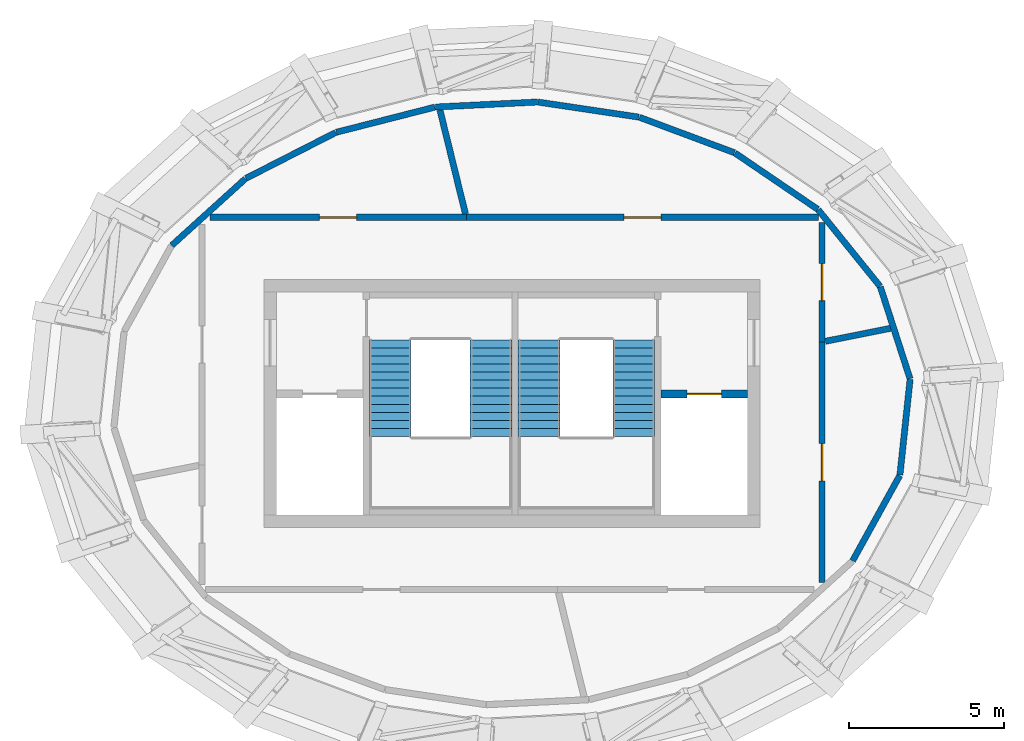
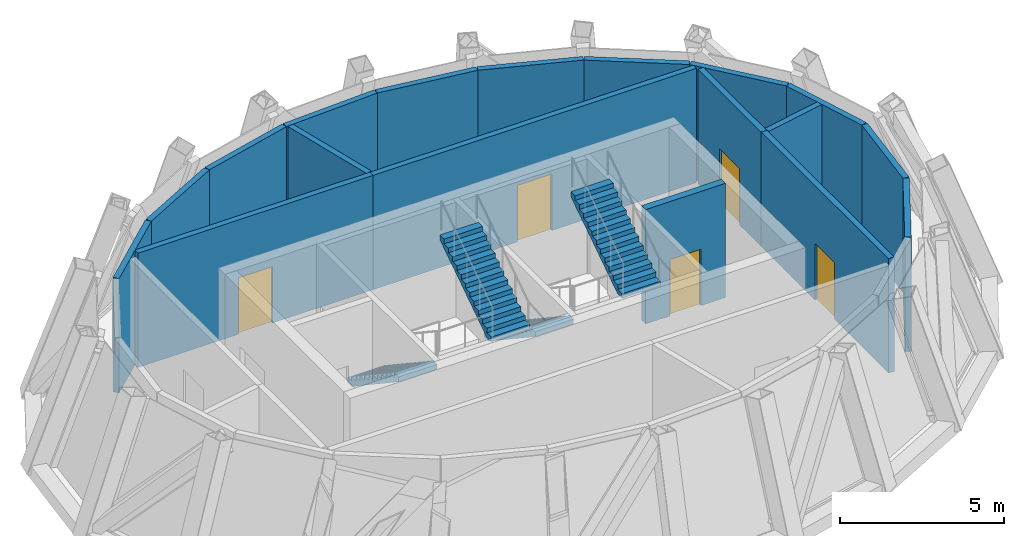
# One storey, part 5 of 6: 18 walls, 5 doors, 4 stair flights, 5 openings, 2 elements without a shape of their own.
"""IFC4 building model written with IfcOpenShell, lengths in metres."""

from ifc_helpers import new_model, si_unit, direction, frame, frame_2d, origin, place, context, subcontext, project, spatial, polyline, rectangle, outline, extrude, source, transform, mapped, material, layer, layer_set, type_object, element, fill, aggregate, save


model = new_model("IFC4")

# Units and contexts
model_context = context("Model", 3, precision=1e-05, world=origin(), true_north=direction((0.0, 1.0)))
body_context = subcontext(model_context, "Body", "Model", "MODEL_VIEW")
ifc_project = project(units=[si_unit("LENGTHUNIT", "METRE"), si_unit("AREAUNIT", "SQUARE_METRE"), si_unit("VOLUMEUNIT", "CUBIC_METRE"), si_unit("PLANEANGLEUNIT", "RADIAN"), si_unit("MASSUNIT", "GRAM", prefix="KILO")], contexts=[model_context])

# Site, building, storey
site_placement = place(None, origin())
site = spatial("IfcSite", under=ifc_project, at=site_placement, CompositionType="ELEMENT")
building_placement = place(site_placement, origin())
building = spatial("IfcBuilding", under=site, at=building_placement, Name="Embergate Tower", CompositionType="ELEMENT")
storey_placement = place(building_placement, frame((0.0, 0.0, 365.5)))
storey = spatial("IfcBuildingStorey", under=building, at=storey_placement, Name="L83", CompositionType="ELEMENT", Elevation=365.5)

# Walls
ifc_material_1 = material(Name="Terracotta louvre cladding on insulated backing", Category="masonry")
ifc_layer_1 = layer(ifc_material_1, 0.199951171875)
ifc_layer_set_1 = layer_set([ifc_layer_1], Name="Terracotta louvre cladding on insulated backing")
wall_type_1 = type_object("IfcWallType", Name="Terracotta louvre wall", PredefinedType="SOLIDWALL", material=ifc_layer_set_1)
shared_shape_1 = source(origin(), body_context, "Body", "SweptSolid", [
    extrude(rectangle(XDim=3.174560546875, YDim=0.199951171875, at=frame_2d((1.58740234375, 0.0))), origin(), (0.0, 0.0, 1.0), 4.25),
])
wall_1_placement = place(storey_placement, frame((9.87646484375, 6.24560546875, 0.0), z_axis=(0.0, 0.0, 1.0), x_axis=(0.628308465475, -0.777964312943, 0.0)))
element("IfcWall", 1, at=wall_1_placement, inside=storey, type_object=wall_type_1, Name="Crown louvre wall 1", PredefinedType="SOLIDWALL", context=body_context, shape_type="MappedRepresentation", body=[
    mapped(shared_shape_1, transform((0.0, 0.0, 0.0))),
])
shared_shape_2 = source(origin(), body_context, "Body", "SweptSolid", [
    extrude(rectangle(XDim=3.23046875, YDim=0.199951171875, at=frame_2d((1.615234375, 0.0))), origin(), (0.0, 0.0, 1.0), 4.25),
])
wall_2_placement = place(storey_placement, frame((7.190673828125, 8.07568359375, 0.0), z_axis=(0.0, 0.0, 1.0), x_axis=(0.826887140507, -0.562367901701, 0.0)))
element("IfcWall", 2, at=wall_2_placement, inside=storey, type_object=wall_type_1, Name="Crown louvre wall 2", PredefinedType="SOLIDWALL", context=body_context, shape_type="MappedRepresentation", body=[
    mapped(shared_shape_2, transform((0.0, 0.0, 0.0))),
])
shared_shape_3 = source(origin(), body_context, "Body", "SweptSolid", [
    extrude(rectangle(XDim=3.269287109375, YDim=0.199951171875, at=frame_2d((1.634765625, 0.0))), origin(), (0.0, 0.0, 1.0), 4.25),
])
wall_3_placement = place(storey_placement, frame((4.110107421875, 9.227783203125, 0.0), z_axis=(0.0, 0.0, 1.0), x_axis=(0.936886529357, -0.34963356691, 0.0)))
element("IfcWall", 3, at=wall_3_placement, inside=storey, type_object=wall_type_1, Name="Crown louvre wall 3", PredefinedType="SOLIDWALL", context=body_context, shape_type="MappedRepresentation", body=[
    mapped(shared_shape_3, transform((0.0, 0.0, 0.0))),
])
shared_shape_4 = source(origin(), body_context, "Body", "SweptSolid", [
    extrude(rectangle(XDim=3.28759765625, YDim=0.199951171875, at=frame_2d((1.643798828125, 0.0))), origin(), (0.0, 0.0, 1.0), 4.25),
])
wall_4_placement = place(storey_placement, frame((0.839111328125, 9.718017578125, 0.0), z_axis=(0.0, 0.0, 1.0), x_axis=(0.989054235862, -0.147552426358, 0.0)))
element("IfcWall", 4, at=wall_4_placement, inside=storey, type_object=wall_type_1, Name="Crown louvre wall 4", PredefinedType="SOLIDWALL", context=body_context, shape_type="MappedRepresentation", body=[
    mapped(shared_shape_4, transform((0.0, 0.0, 0.0))),
])
shared_shape_5 = source(origin(), body_context, "Body", "SweptSolid", [
    extrude(rectangle(XDim=3.29150390625, YDim=0.199951171875, at=frame_2d((1.645751953125, 0.0))), origin(), (0.0, 0.0, 1.0), 4.25),
])
wall_5_placement = place(storey_placement, frame((-2.46826171875, 9.5576171875, 0.0), z_axis=(0.0, 0.0, 1.0), x_axis=(0.998797426177, 0.049027558199, 0.0)))
element("IfcWall", 5, at=wall_5_placement, inside=storey, type_object=wall_type_1, Name="Crown louvre wall 5", PredefinedType="SOLIDWALL", context=body_context, shape_type="MappedRepresentation", body=[
    mapped(shared_shape_5, transform((0.0, 0.0, 0.0))),
])
shared_shape_6 = source(origin(), body_context, "Body", "SweptSolid", [
    extrude(rectangle(XDim=3.280029296875, YDim=0.199951171875, at=frame_2d((1.64013671875, 0.0))), origin(), (0.0, 0.0, 1.0), 4.25),
])
wall_6_placement = place(storey_placement, frame((-5.666015625, 8.7431640625, 0.0), z_axis=(0.0, 0.0, 1.0), x_axis=(0.968908599462, 0.247418927911, 0.0)))
element("IfcWall", 6, at=wall_6_placement, inside=storey, type_object=wall_type_1, Name="Crown louvre wall 6", PredefinedType="SOLIDWALL", context=body_context, shape_type="MappedRepresentation", body=[
    mapped(shared_shape_6, transform((0.0, 0.0, 0.0))),
])
shared_shape_7 = source(origin(), body_context, "Body", "SweptSolid", [
    extrude(rectangle(XDim=3.25341796875, YDim=0.199951171875, at=frame_2d((1.626708984375, 0.0))), origin(), (0.0, 0.0, 1.0), 4.25),
])
wall_7_placement = place(storey_placement, frame((-8.582275390625, 7.257080078125, 0.0), z_axis=(0.0, 0.0, 1.0), x_axis=(0.89068931978, 0.45461251152, 0.0)))
element("IfcWall", 7, at=wall_7_placement, inside=storey, type_object=wall_type_1, Name="Crown louvre wall 7", PredefinedType="SOLIDWALL", context=body_context, shape_type="MappedRepresentation", body=[
    mapped(shared_shape_7, transform((0.0, 0.0, 0.0))),
])
shared_shape_8 = source(origin(), body_context, "Body", "SweptSolid", [
    extrude(rectangle(XDim=3.205322265625, YDim=0.199951171875, at=frame_2d((1.6025390625, 0.0))), origin(), (0.0, 0.0, 1.0), 4.25),
])
wall_8_placement = place(storey_placement, frame((-10.973876953125, 5.09423828125, 0.0), z_axis=(0.0, 0.0, 1.0), x_axis=(0.741131432131, 0.671359963289, 0.0)))
element("IfcWall", 8, at=wall_8_placement, inside=storey, type_object=wall_type_1, Name="Crown louvre wall 8", PredefinedType="SOLIDWALL", context=body_context, shape_type="MappedRepresentation", body=[
    mapped(shared_shape_8, transform((0.0, 0.0, 0.0))),
])
shared_shape_9 = source(origin(), body_context, "Body", "SweptSolid", [
    extrude(rectangle(XDim=3.14208984375, YDim=0.199951171875, at=frame_2d((1.571044921875, 0.0))), origin(), (0.0, 0.0, 1.0), 4.25),
])
wall_9_placement = place(storey_placement, frame((12.506103515625, -2.328857421875, 0.0), z_axis=(0.0, 0.0, 1.0), x_axis=(-0.48375502956, -0.875203445706, 0.0)))
element("IfcWall", 9, at=wall_9_placement, inside=storey, type_object=wall_type_1, Name="Crown louvre wall 20", PredefinedType="SOLIDWALL", context=body_context, shape_type="MappedRepresentation", body=[
    mapped(shared_shape_9, transform((0.0, 0.0, 0.0))),
])
shared_shape_10 = source(origin(), body_context, "Body", "SweptSolid", [
    extrude(rectangle(XDim=3.101318359375, YDim=0.199951171875, at=frame_2d((1.55078125, 0.0))), origin(), (0.0, 0.0, 1.0), 4.25),
])
wall_10_placement = place(storey_placement, frame((12.840087890625, 0.773681640625, 0.0), z_axis=(0.0, 0.0, 1.0), x_axis=(-0.105721464197, -0.994395782376, 0.0)))
element("IfcWall", 10, at=wall_10_placement, inside=storey, type_object=wall_type_1, Name="Crown louvre wall 21", PredefinedType="SOLIDWALL", context=body_context, shape_type="MappedRepresentation", body=[
    mapped(shared_shape_10, transform((0.0, 0.0, 0.0))),
])
shared_shape_11 = source(origin(), body_context, "Body", "SweptSolid", [
    extrude(rectangle(XDim=3.1162109375, YDim=0.199951171875, at=frame_2d((1.55810546875, 0.0))), origin(), (0.0, 0.0, 1.0), 4.25),
])
wall_11_placement = place(storey_placement, frame((11.880615234375, 3.758544921875, 0.0), z_axis=(0.0, 0.0, 1.0), x_axis=(0.307282044067, -0.951618487312, 0.0)))
element("IfcWall", 11, at=wall_11_placement, inside=storey, type_object=wall_type_1, Name="Crown louvre wall 22", PredefinedType="SOLIDWALL", context=body_context, shape_type="MappedRepresentation", body=[
    mapped(shared_shape_11, transform((0.0, 0.0, 0.0))),
])

# Wall, opening, door
ifc_material_2 = material(Name="Concrete C50", Category="concrete")
ifc_layer_2 = layer(ifc_material_2, 0.25)
ifc_layer_set_2 = layer_set([ifc_layer_2], Name="Concrete C50")
wall_type_2 = type_object("IfcWallType", Name="Hoistway wall reinforced concrete 250", PredefinedType="SHEAR", material=ifc_layer_set_2)
shared_shape_12 = source(origin(), body_context, "Body", "SweptSolid", [
    extrude(rectangle(XDim=2.800048828125, YDim=0.25, at=frame_2d((1.39990234375, 0.0))), origin(), (0.0, 0.0, 1.0), 4.25),
])
wall_12_placement = place(storey_placement, frame((7.60009765625, 0.300048828125, 0.0), z_axis=(0.0, 0.0, 1.0), x_axis=(-1.0, 0.0, 0.0)))
wall_12 = element("IfcWall", 12, at=wall_12_placement, inside=storey, type_object=wall_type_2, Name="HW-1 wall", PredefinedType="SHEAR", context=body_context, shape_type="MappedRepresentation", body=[
    mapped(shared_shape_12, transform((0.0, 0.0, 0.0))),
])
shared_shape_13 = source(origin(), body_context, "Body", "SweptSolid", [
    extrude(rectangle(XDim=1.10009765625, YDim=2.10009765625, at=frame_2d((0.550048828125, 1.050048828125))), frame((0.0, 0.135009765625, 0.0), z_axis=(0.0, -1.0, 0.0), x_axis=(1.0, 0.0, 0.0)), (0.0, 0.0, 1.0), 0.27001953125),
])
opening_1_placement = place(wall_12_placement, frame((0.85009765625, 0.0, 0.0)))
opening_1 = element("IfcOpeningElement", 13, at=opening_1_placement, cuts=wall_12, Name="Opening LD", PredefinedType="OPENING", context=body_context, shape_type="MappedRepresentation", body=[
    mapped(shared_shape_13, transform((0.0, 0.0, 0.0))),
])
ifc_material_3 = material(Name="Landing door sliding 1100")
door_type_1 = type_object("IfcDoorType", Name="Landing door sliding 1100", OperationType="SLIDING_TO_LEFT", PredefinedType="DOOR", material=ifc_material_3)
shared_shape_14 = source(origin(), body_context, "Body", "SweptSolid", [
    extrude(rectangle(XDim=1.10009765625, YDim=2.10009765625, at=frame_2d((0.550048828125, 1.050048828125))), frame((0.0, 0.02490234375, 0.0), z_axis=(0.0, -1.0, 0.0), x_axis=(1.0, 0.0, 0.0)), (0.0, 0.0, 1.0), 0.050048828125),
])
door_1_placement = place(opening_1_placement, origin())
door_1 = element("IfcDoor", 14, at=door_1_placement, inside=storey, type_object=door_type_1, Name="LD door", OperationType="SLIDING_TO_RIGHT", OverallHeight=2.10009765625, OverallWidth=1.10009765625, PredefinedType="DOOR", context=body_context, shape_type="MappedRepresentation", body=[
    mapped(shared_shape_14, transform((0.0, 0.0, 0.0))),
])
fill(opening_1, door_1)

ifc_material_4 = material(Name="Blockwork, plastered", Category="masonry")
ifc_layer_3 = layer(ifc_material_4, 0.199951171875)
ifc_layer_set_3 = layer_set([ifc_layer_3], Name="Blockwork, plastered")
wall_type_3 = type_object("IfcWallType", Name="Fire partition wall 200 block", PredefinedType="PARTITIONING", material=ifc_layer_set_3)
shared_shape_15 = source(origin(), body_context, "Body", "SweptSolid", [
    extrude(rectangle(XDim=3.858154296875, YDim=0.199951171875, at=frame_2d((1.92919921875, 0.0))), origin(), (0.0, 0.0, 1.0), 4.25),
])
wall_13_placement = place(storey_placement, frame((10.0, 5.840087890625, 0.0), z_axis=(0.0, 0.0, 1.0), x_axis=(0.0, -1.0, 0.0)))
wall_13 = element("IfcWall", 15, at=wall_13_placement, inside=storey, type_object=wall_type_3, Name="Partition 011", PredefinedType="PARTITIONING", context=body_context, shape_type="MappedRepresentation", body=[
    mapped(shared_shape_15, transform((0.0, 0.0, 0.0))),
])
shared_shape_16 = source(origin(), body_context, "Body", "SweptSolid", [
    extrude(rectangle(XDim=1.199951171875, YDim=2.10009765625, at=frame_2d((0.60009765625, 1.050048828125))), frame((0.0, 0.10986328125, 0.0), z_axis=(0.0, -1.0, 0.0), x_axis=(1.0, 0.0, 0.0)), (0.0, 0.0, 1.0), 0.219970703125),
])
opening_2_placement = place(wall_13_placement, frame((1.3291015625, 0.0, 0.0)))
opening_2 = element("IfcOpeningElement", 16, at=opening_2_placement, cuts=wall_13, Name="Opening DS-289", PredefinedType="OPENING", context=body_context, shape_type="MappedRepresentation", body=[
    mapped(shared_shape_16, transform((0.0, 0.0, 0.0))),
])
ifc_material_5 = material(Name="Timber door leaf, steel frame", Category="steel")
door_type_2 = type_object("IfcDoorType", Name="Plant door 1200x2100", OperationType="SINGLE_SWING_LEFT", PredefinedType="DOOR", material=ifc_material_5)
shared_shape_17 = source(origin(), body_context, "Body", "SweptSolid", [
    extrude(rectangle(XDim=1.199951171875, YDim=2.10009765625, at=frame_2d((0.60009765625, 1.050048828125))), frame((0.0, 0.02490234375, 0.0), z_axis=(0.0, -1.0, 0.0), x_axis=(1.0, 0.0, 0.0)), (0.0, 0.0, 1.0), 0.050048828125),
])
door_2_placement = place(opening_2_placement, origin())
door_2 = element("IfcDoor", 17, at=door_2_placement, inside=storey, type_object=door_type_2, Name="Door to Crown mechanical plant room", OperationType="SINGLE_SWING_LEFT", OverallHeight=2.10009765625, OverallWidth=1.199951171875, PredefinedType="DOOR", context=body_context, shape_type="MappedRepresentation", body=[
    mapped(shared_shape_17, transform((0.0, 0.0, 0.0))),
])
fill(opening_2, door_2)

# Wall
shared_shape_18 = source(origin(), body_context, "Body", "SweptSolid", [
    extrude(rectangle(XDim=2.14111328125, YDim=0.199951171875, at=frame_2d((1.070556640625, 0.0))), origin(), (0.0, 0.0, 1.0), 4.25),
])
wall_14_placement = place(storey_placement, frame((12.2080078125, 2.419921875, 0.0), z_axis=(0.0, 0.0, 1.0), x_axis=(-0.980851641364, -0.194756405888, 0.0)))
element("IfcWall", 18, at=wall_14_placement, inside=storey, type_object=wall_type_3, Name="Partition 012", PredefinedType="PARTITIONING", context=body_context, shape_type="MappedRepresentation", body=[
    mapped(shared_shape_18, transform((0.0, 0.0, 0.0))),
])

# Wall, opening, door
shared_shape_19 = source(origin(), body_context, "Body", "SweptSolid", [
    extrude(rectangle(XDim=7.759033203125, YDim=0.199951171875, at=frame_2d((3.87939453125, 0.0))), origin(), (0.0, 0.0, 1.0), 4.25),
])
wall_15_placement = place(storey_placement, frame((10.0, 1.98193359375, 0.0), z_axis=(0.0, 0.0, 1.0), x_axis=(0.0, -1.0, 0.0)))
wall_15 = element("IfcWall", 19, at=wall_15_placement, inside=storey, type_object=wall_type_3, Name="Partition 010", PredefinedType="PARTITIONING", context=body_context, shape_type="MappedRepresentation", body=[
    mapped(shared_shape_19, transform((0.0, 0.0, 0.0))),
])
opening_3_placement = place(wall_15_placement, frame((3.280029296875, 0.0, 0.0)))
opening_3 = element("IfcOpeningElement", 20, at=opening_3_placement, cuts=wall_15, Name="Opening DS-296", PredefinedType="OPENING", context=body_context, shape_type="MappedRepresentation", body=[
    mapped(shared_shape_16, transform((0.0, 0.0, 0.0))),
])
door_3_placement = place(opening_3_placement, origin())
door_3 = element("IfcDoor", 21, at=door_3_placement, inside=storey, type_object=door_type_2, Name="Door to Crown pump plant room", OperationType="SINGLE_SWING_LEFT", OverallHeight=2.10009765625, OverallWidth=1.199951171875, PredefinedType="DOOR", context=body_context, shape_type="MappedRepresentation", body=[
    mapped(shared_shape_17, transform((0.0, 0.0, 0.0))),
])
fill(opening_3, door_3)

shared_shape_20 = source(origin(), body_context, "Body", "SweptSolid", [
    extrude(rectangle(XDim=8.269775390625, YDim=0.199951171875, at=frame_2d((4.134765625, 0.0))), origin(), (0.0, 0.0, 1.0), 4.25),
])
wall_16_placement = place(storey_placement, frame((-9.743896484375, 6.0, 0.0), z_axis=(0.0, 0.0, 1.0), x_axis=(1.0, 0.0, 0.0)))
wall_16 = element("IfcWall", 22, at=wall_16_placement, inside=storey, type_object=wall_type_3, Name="Partition 004", PredefinedType="PARTITIONING", context=body_context, shape_type="MappedRepresentation", body=[
    mapped(shared_shape_20, transform((0.0, 0.0, 0.0))),
])
opening_4_placement = place(wall_16_placement, frame((3.534912109375, 0.0, 0.0)))
opening_4 = element("IfcOpeningElement", 23, at=opening_4_placement, cuts=wall_16, Name="Opening DS-291", PredefinedType="OPENING", context=body_context, shape_type="MappedRepresentation", body=[
    mapped(shared_shape_16, transform((0.0, 0.0, 0.0))),
])
door_4_placement = place(opening_4_placement, origin())
door_4 = element("IfcDoor", 24, at=door_4_placement, inside=storey, type_object=door_type_2, Name="Door to Crown electrical plant room", OperationType="SINGLE_SWING_LEFT", OverallHeight=2.10009765625, OverallWidth=1.199951171875, PredefinedType="DOOR", context=body_context, shape_type="MappedRepresentation", body=[
    mapped(shared_shape_17, transform((0.0, 0.0, 0.0))),
])
fill(opening_4, door_4)

# Wall
shared_shape_21 = source(origin(), body_context, "Body", "SweptSolid", [
    extrude(rectangle(XDim=3.4580078125, YDim=0.199951171875, at=frame_2d((1.72900390625, 0.0))), origin(), (0.0, 0.0, 1.0), 4.25),
])
wall_17_placement = place(storey_placement, frame((-1.5, 6.10693359375, 0.0), z_axis=(0.0, 0.0, 1.0), x_axis=(-0.238563284271, 0.971126953286, 0.0)))
element("IfcWall", 25, at=wall_17_placement, inside=storey, type_object=wall_type_3, Name="Partition 005", PredefinedType="PARTITIONING", context=body_context, shape_type="MappedRepresentation", body=[
    mapped(shared_shape_21, transform((0.0, 0.0, 0.0))),
])

# Wall, opening, door
shared_shape_22 = source(origin(), body_context, "Body", "SweptSolid", [
    extrude(rectangle(XDim=11.365234375, YDim=0.199951171875, at=frame_2d((5.6826171875, 0.0))), origin(), (0.0, 0.0, 1.0), 4.25),
])
wall_18_placement = place(storey_placement, frame((-1.47412109375, 6.0, 0.0), z_axis=(0.0, 0.0, 1.0), x_axis=(1.0, 0.0, 0.0)))
wall_18 = element("IfcWall", 26, at=wall_18_placement, inside=storey, type_object=wall_type_3, Name="Partition 006", PredefinedType="PARTITIONING", context=body_context, shape_type="MappedRepresentation", body=[
    mapped(shared_shape_22, transform((0.0, 0.0, 0.0))),
])
opening_5_placement = place(wall_18_placement, frame((5.08203125, 0.0, 0.0)))
opening_5 = element("IfcOpeningElement", 27, at=opening_5_placement, cuts=wall_18, Name="Opening DS-290", PredefinedType="OPENING", context=body_context, shape_type="MappedRepresentation", body=[
    mapped(shared_shape_16, transform((0.0, 0.0, 0.0))),
])
door_5_placement = place(opening_5_placement, origin())
door_5 = element("IfcDoor", 28, at=door_5_placement, inside=storey, type_object=door_type_2, Name="Door to Crown mechanical plant room", OperationType="SINGLE_SWING_LEFT", OverallHeight=2.10009765625, OverallWidth=1.199951171875, PredefinedType="DOOR", context=body_context, shape_type="MappedRepresentation", body=[
    mapped(shared_shape_17, transform((0.0, 0.0, 0.0))),
])
fill(opening_5, door_5)

# Stair, stair flights
ifc_material_6 = material(Name="Exit stair")
stair_type = type_object("IfcStairType", Name="Exit stair", PredefinedType="HALF_TURN_STAIR", material=ifc_material_6)
stair_1_placement = place(storey_placement, origin())
stair_1 = element("IfcStair", 29, at=stair_1_placement, inside=storey, type_object=stair_type, Name="L83 Exit stair 1", PredefinedType="HALF_TURN_STAIR")
ifc_material_7 = material(Name="Concrete C40", Category="concrete")
stair_flight_type = type_object("IfcStairFlightType", Name="Stair flight reinforced concrete", PredefinedType="STRAIGHT", material=ifc_material_7)
shared_shape_23 = source(origin(), body_context, "Body", "SweptSolid", [
    extrude(outline(polyline([(0.0, 0.0), (0.0, 0.173095703125), (0.260009765625, 0.173095703125), (0.260009765625, 0.34619140625), (0.52001953125, 0.34619140625), (0.52001953125, 0.519287109375), (0.780029296875, 0.519287109375), (0.780029296875, 0.6923828125), (1.0400390625, 0.6923828125), (1.0400390625, 0.865478515625), (1.300048828125, 0.865478515625), (1.300048828125, 1.03857421875), (1.56005859375, 1.03857421875), (1.56005859375, 1.21142578125), (1.820068359375, 1.21142578125), (1.820068359375, 1.384521484375), (2.080078125, 1.384521484375), (2.080078125, 1.5576171875), (2.340087890625, 1.5576171875), (2.340087890625, 1.730712890625), (2.60009765625, 1.730712890625), (2.60009765625, 1.90380859375), (2.860107421875, 1.90380859375), (2.860107421875, 2.076904296875), (3.1201171875, 2.076904296875), (3.1201171875, 2.25), (3.1201171875, 1.896728515625), (0.2705078125, 0.0), (0.0, 0.0)])), frame((0.0, 0.675048828125, 0.0), z_axis=(0.0, -1.0, 0.0), x_axis=(1.0, 0.0, 0.0)), (0.0, 0.0, 1.0), 1.35009765625),
])
stair_flight_1_placement = place(storey_placement, frame((0.875, 2.050048828125, 0.0), z_axis=(0.0, 0.0, 1.0), x_axis=(0.0, -1.0, 0.0)))
stair_flight_1 = element("IfcStairFlight", 30, at=stair_flight_1_placement, type_object=stair_flight_type, Name="ST1 flight 1", NumberOfRisers=13, NumberOfTreads=12, PredefinedType="STRAIGHT", RiserHeight=0.173076923, TreadLength=0.26, context=body_context, shape_type="MappedRepresentation", body=[
    mapped(shared_shape_23, transform((0.0, 0.0, 0.0))),
])
stair_flight_2_placement = place(storey_placement, frame((3.925048828125, -1.070068359375, 2.25), z_axis=(0.0, 0.0, 1.0), x_axis=(0.0, 1.0, 0.0)))
stair_flight_2 = element("IfcStairFlight", 31, at=stair_flight_2_placement, type_object=stair_flight_type, Name="ST1 flight 2", NumberOfRisers=13, NumberOfTreads=12, PredefinedType="STRAIGHT", RiserHeight=0.173076923, TreadLength=0.26, context=body_context, shape_type="MappedRepresentation", body=[
    mapped(shared_shape_23, transform((0.0, 0.0, 0.0))),
])
aggregate(stair_1, [stair_flight_1, stair_flight_2])

stair_2_placement = place(storey_placement, origin())
stair_2 = element("IfcStair", 32, at=stair_2_placement, inside=storey, type_object=stair_type, Name="L83 Exit stair 3", PredefinedType="HALF_TURN_STAIR")
stair_flight_3_placement = place(storey_placement, frame((-3.925048828125, 2.050048828125, 0.0), z_axis=(0.0, 0.0, 1.0), x_axis=(0.0, -1.0, 0.0)))
stair_flight_3 = element("IfcStairFlight", 33, at=stair_flight_3_placement, type_object=stair_flight_type, Name="ST3 flight 1", NumberOfRisers=13, NumberOfTreads=12, PredefinedType="STRAIGHT", RiserHeight=0.173076923, TreadLength=0.26, context=body_context, shape_type="MappedRepresentation", body=[
    mapped(shared_shape_23, transform((0.0, 0.0, 0.0))),
])
stair_flight_4_placement = place(storey_placement, frame((-0.675048828125, -1.070068359375, 2.25), z_axis=(0.0, 0.0, 1.0), x_axis=(0.0, 1.0, 0.0)))
stair_flight_4 = element("IfcStairFlight", 34, at=stair_flight_4_placement, type_object=stair_flight_type, Name="ST3 flight 2", NumberOfRisers=13, NumberOfTreads=12, PredefinedType="STRAIGHT", RiserHeight=0.173076923, TreadLength=0.26, context=body_context, shape_type="MappedRepresentation", body=[
    mapped(shared_shape_23, transform((0.0, 0.0, 0.0))),
])
aggregate(stair_2, [stair_flight_3, stair_flight_4])

save(model, "model.ifc")
